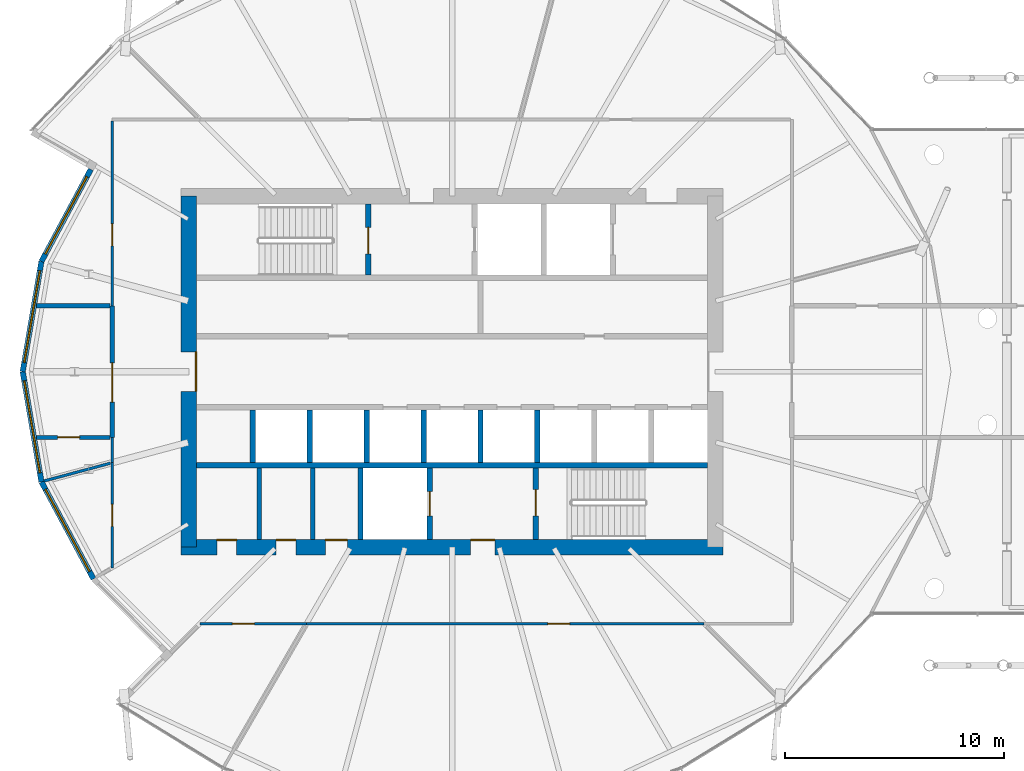
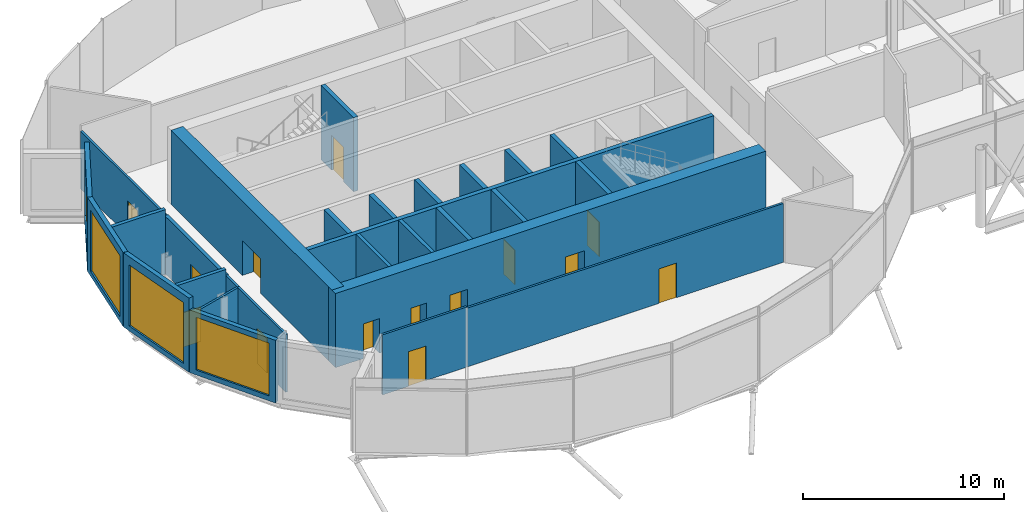
# One storey, part 22 of 36: 28 walls, 14 doors, 4 windows, 18 openings.
"""IFC4 building model written with IfcOpenShell, lengths in metres."""

from ifc_helpers import new_model, si_unit, direction, frame, frame_2d, origin, place, context, subcontext, project, spatial, rectangle, extrude, material, layer, layer_set, type_object, element, fill, save


model = new_model("IFC4")

# Units and contexts
model_context = context("Model", 3, precision=1e-05, world=origin(), true_north=direction((0.0, 1.0)))
body_context = subcontext(model_context, "Body", "Model", "MODEL_VIEW")
ifc_project = project(units=[si_unit("LENGTHUNIT", "METRE"), si_unit("AREAUNIT", "SQUARE_METRE"), si_unit("VOLUMEUNIT", "CUBIC_METRE"), si_unit("PLANEANGLEUNIT", "RADIAN"), si_unit("MASSUNIT", "GRAM", prefix="KILO")], contexts=[model_context])

# Site, building, storey
site_placement = place(None, origin())
site = spatial("IfcSite", under=ifc_project, at=site_placement, CompositionType="ELEMENT")
building_placement = place(site_placement, origin())
building = spatial("IfcBuilding", under=site, at=building_placement, Name="Rimbun Link Towers", CompositionType="ELEMENT")
storey_placement = place(building_placement, frame((0.0, 0.0, 154.39990234375)))
storey = spatial("IfcBuildingStorey", under=building, at=storey_placement, Name="L37", CompositionType="ELEMENT", Elevation=154.39990234375)

# Wall, opening, window
ifc_material_1 = material(Name="Dark enamelled glass spandrel on insulated aluminium backpan", Category="aluminium")
ifc_layer_1 = layer(ifc_material_1, 0.25)
ifc_layer_set_1 = layer_set([ifc_layer_1], Name="CS dark enamelled spandrel wall 250")
wall_type_1 = type_object("IfcWallType", Name="CS dark enamelled spandrel wall 250", PredefinedType="STANDARD", material=ifc_layer_set_1)
wall_1_placement = place(storey_placement, frame((-50.4755859375, 5.0263671875, 0.0), z_axis=(0.0, 0.0, 1.0), x_axis=(0.47248174368, 0.881340457422, 0.0)))
wall_1 = element("IfcWall", 1, at=wall_1_placement, inside=storey, type_object=wall_type_1, Name="Crease spandrel wall", PredefinedType="STANDARD", context=body_context, shape_type="SweptSolid", body=[
    extrude(rectangle(XDim=4.76220703125, YDim=0.25, at=frame_2d((2.381103515625, 0.0))), origin(), (0.0, 0.0, 1.0), 4.5),
])
opening_1_placement = place(wall_1_placement, frame((0.381103515625, 0.0, 0.300048828125)))
opening_1 = element("IfcOpeningElement", 2, at=opening_1_placement, cuts=wall_1, Name="Opening WR40H370", PredefinedType="OPENING", context=body_context, shape_type="SweptSolid", body=[
    extrude(rectangle(XDim=4.0, YDim=3.699951171875, at=frame_2d((2.0, 1.85009765625))), frame((0.0, 0.135009765625, 0.0), z_axis=(0.0, -1.0, 0.0), x_axis=(1.0, 0.0, 0.0)), (0.0, 0.0, 1.0), 0.27001953125),
])
ifc_material_2 = material(Name="Aluminium framed fixed window, dark tinted low-e glass", Category="aluminium")
window_type_1 = type_object("IfcWindowType", Name="WR ribbon window 4000X3700", PartitioningType="SINGLE_PANEL", PredefinedType="WINDOW", material=ifc_material_2)
window_1_placement = place(opening_1_placement, origin())
window_1 = element("IfcWindow", 3, at=window_1_placement, inside=storey, type_object=window_type_1, Name="Crease ribbon window", OverallHeight=3.699951171875, OverallWidth=4.0, PartitioningType="SINGLE_PANEL", PredefinedType="WINDOW", context=body_context, shape_type="SweptSolid", body=[
    extrude(rectangle(XDim=4.0, YDim=3.699951171875, at=frame_2d((2.0, 1.85009765625))), frame((0.0, 0.030029296875, 0.0), z_axis=(0.0, -1.0, 0.0), x_axis=(1.0, 0.0, 0.0)), (0.0, 0.0, 1.0), 0.06005859375),
])
fill(opening_1, window_1)

wall_2_placement = place(storey_placement, frame((-51.330322265625, 0.0, 0.0), z_axis=(0.0, 0.0, 1.0), x_axis=(0.167643894896, 0.985847617284, 0.0)))
wall_2 = element("IfcWall", 4, at=wall_2_placement, inside=storey, type_object=wall_type_1, Name="Crease spandrel wall", PredefinedType="STANDARD", context=body_context, shape_type="SweptSolid", body=[
    extrude(rectangle(XDim=5.0986328125, YDim=0.25, at=frame_2d((2.54931640625, 0.0))), origin(), (0.0, 0.0, 1.0), 4.5),
])
opening_2_placement = place(wall_2_placement, frame((0.42431640625, 0.0, 0.300048828125)))
opening_2 = element("IfcOpeningElement", 5, at=opening_2_placement, cuts=wall_2, Name="Opening WR42H370", PredefinedType="OPENING", context=body_context, shape_type="SweptSolid", body=[
    extrude(rectangle(XDim=4.25, YDim=3.699951171875, at=frame_2d((2.125, 1.85009765625))), frame((0.0, 0.135009765625, 0.0), z_axis=(0.0, -1.0, 0.0), x_axis=(1.0, 0.0, 0.0)), (0.0, 0.0, 1.0), 0.27001953125),
])
ifc_material_3 = material(Name="Aluminium framed fixed window, dark tinted low-e glass", Category="aluminium")
window_type_2 = type_object("IfcWindowType", Name="WR ribbon window 4250X3700", PartitioningType="SINGLE_PANEL", PredefinedType="WINDOW", material=ifc_material_3)
window_2_placement = place(opening_2_placement, origin())
window_2 = element("IfcWindow", 6, at=window_2_placement, inside=storey, type_object=window_type_2, Name="Crease ribbon window", OverallHeight=3.699951171875, OverallWidth=4.25, PartitioningType="SINGLE_PANEL", PredefinedType="WINDOW", context=body_context, shape_type="SweptSolid", body=[
    extrude(rectangle(XDim=4.25, YDim=3.699951171875, at=frame_2d((2.125, 1.85009765625))), frame((0.0, 0.030029296875, 0.0), z_axis=(0.0, -1.0, 0.0), x_axis=(1.0, 0.0, 0.0)), (0.0, 0.0, 1.0), 0.06005859375),
])
fill(opening_2, window_2)

wall_3_placement = place(storey_placement, frame((-50.4755859375, -5.0263671875, 0.0), z_axis=(0.0, 0.0, 1.0), x_axis=(-0.167643894896, 0.985847617284, 0.0)))
wall_3 = element("IfcWall", 7, at=wall_3_placement, inside=storey, type_object=wall_type_1, Name="Crease spandrel wall", PredefinedType="STANDARD", context=body_context, shape_type="SweptSolid", body=[
    extrude(rectangle(XDim=5.0986328125, YDim=0.25, at=frame_2d((2.54931640625, 0.0))), origin(), (0.0, 0.0, 1.0), 4.5),
])
opening_3_placement = place(wall_3_placement, frame((0.42431640625, 0.0, 0.300048828125)))
opening_3 = element("IfcOpeningElement", 8, at=opening_3_placement, cuts=wall_3, Name="Opening WR42H370", PredefinedType="OPENING", context=body_context, shape_type="SweptSolid", body=[
    extrude(rectangle(XDim=4.25, YDim=3.699951171875, at=frame_2d((2.125, 1.85009765625))), frame((0.0, 0.135009765625, 0.0), z_axis=(0.0, -1.0, 0.0), x_axis=(1.0, 0.0, 0.0)), (0.0, 0.0, 1.0), 0.27001953125),
])
window_3_placement = place(opening_3_placement, origin())
window_3 = element("IfcWindow", 9, at=window_3_placement, inside=storey, type_object=window_type_2, Name="Crease ribbon window", OverallHeight=3.699951171875, OverallWidth=4.25, PartitioningType="SINGLE_PANEL", PredefinedType="WINDOW", context=body_context, shape_type="SweptSolid", body=[
    extrude(rectangle(XDim=4.25, YDim=3.699951171875, at=frame_2d((2.125, 1.85009765625))), frame((0.0, 0.030029296875, 0.0), z_axis=(0.0, -1.0, 0.0), x_axis=(1.0, 0.0, 0.0)), (0.0, 0.0, 1.0), 0.06005859375),
])
fill(opening_3, window_3)

wall_4_placement = place(storey_placement, frame((-48.1005859375, -9.45654296875, 0.0), z_axis=(0.0, 0.0, 1.0), x_axis=(-0.472482867298, 0.881339855056, 0.0)))
wall_4 = element("IfcWall", 10, at=wall_4_placement, inside=storey, type_object=wall_type_1, Name="Crease spandrel wall", PredefinedType="STANDARD", context=body_context, shape_type="SweptSolid", body=[
    extrude(rectangle(XDim=5.026611328125, YDim=0.25, at=frame_2d((2.51318359375, 0.0))), origin(), (0.0, 0.0, 1.0), 3.80712890625),
])
opening_4_placement = place(wall_4_placement, frame((0.38818359375, 0.0, 0.300048828125)))
opening_4 = element("IfcOpeningElement", 11, at=opening_4_placement, cuts=wall_4, Name="Opening WR42H320", PredefinedType="OPENING", context=body_context, shape_type="SweptSolid", body=[
    extrude(rectangle(XDim=4.25, YDim=3.199951171875, at=frame_2d((2.125, 1.60009765625))), frame((0.0, 0.135009765625, 0.0), z_axis=(0.0, -1.0, 0.0), x_axis=(1.0, 0.0, 0.0)), (0.0, 0.0, 1.0), 0.27001953125),
])
ifc_material_4 = material(Name="Aluminium framed fixed window, dark tinted low-e glass", Category="aluminium")
window_type_3 = type_object("IfcWindowType", Name="WR ribbon window 4250X3200", PartitioningType="SINGLE_PANEL", PredefinedType="WINDOW", material=ifc_material_4)
window_4_placement = place(opening_4_placement, origin())
window_4 = element("IfcWindow", 12, at=window_4_placement, inside=storey, type_object=window_type_3, Name="Crease ribbon window", OverallHeight=3.199951171875, OverallWidth=4.25, PartitioningType="SINGLE_PANEL", PredefinedType="WINDOW", context=body_context, shape_type="SweptSolid", body=[
    extrude(rectangle(XDim=4.25, YDim=3.199951171875, at=frame_2d((2.125, 1.60009765625))), frame((0.0, 0.030029296875, 0.0), z_axis=(0.0, -1.0, 0.0), x_axis=(1.0, 0.0, 0.0)), (0.0, 0.0, 1.0), 0.06005859375),
])
fill(opening_4, window_4)

# Walls
ifc_material_5 = material(Name="Masonry blockwork", Category="masonry")
ifc_layer_2 = layer(ifc_material_5, 0.199951171875)
ifc_layer_set_2 = layer_set([ifc_layer_2], Name="Core partition 200")
wall_type_2 = type_object("IfcWallType", Name="Core partition 200", PredefinedType="PARTITIONING", material=ifc_layer_set_2)
for number, where, z_axis, x_axis, name in (
    (13, (-40.550048828125, -4.39990234375, 0.0), (0.0, 0.0, 1.0), (0.0, -1.0, 0.0), "L37 T1 core wall C1"),
    (14, (-38.10009765625, -4.39990234375, 0.0), (0.0, 0.0, 1.0), (0.0, -1.0, 0.0), "L37 T1 core wall C2"),
):
    element("IfcWall", number, at=place(storey_placement, frame(where, z_axis=z_axis, x_axis=x_axis)), inside=storey, type_object=wall_type_2, Name=name, PredefinedType="PARTITIONING", context=body_context, shape_type="SweptSolid", body=[
        extrude(rectangle(XDim=3.25, YDim=0.199951171875, at=frame_2d((1.625, 0.0))), origin(), (0.0, 0.0, 1.0), 4.5),
    ])

# Wall, openings, doors
ifc_material_6 = material(Name="Concrete C60/75", Category="concrete")
ifc_layer_3 = layer(ifc_material_6, 0.699951171875)
ifc_layer_set_3 = layer_set([ifc_layer_3], Name="Core shear wall 700")
wall_type_3 = type_object("IfcWallType", Name="Core shear wall 700", PredefinedType="SHEAR", material=ifc_layer_set_3)
wall_5_placement = place(storey_placement, frame((-44.10009765625, -8.0, 0.0), z_axis=(0.0, 0.0, 1.0), x_axis=(1.0, 0.0, 0.0)))
wall_5 = element("IfcWall", 15, at=wall_5_placement, inside=storey, type_object=wall_type_3, Name="L37 T1 core wall S", PredefinedType="SHEAR", context=body_context, shape_type="SweptSolid", body=[
    extrude(rectangle(XDim=24.7001953125, YDim=0.699951171875, at=frame_2d((12.35009765625, 0.0))), origin(), (0.0, 0.0, 1.0), 4.5),
])
opening_5_placement = place(wall_5_placement, frame((13.199951171875, 0.0, 0.0)))
opening_5 = element("IfcOpeningElement", 16, at=opening_5_placement, cuts=wall_5, Name="Opening C1DCF01S", PredefinedType="OPENING", context=body_context, shape_type="SweptSolid", body=[
    extrude(rectangle(XDim=1.10009765625, YDim=2.10009765625, at=frame_2d((0.550048828125, 1.050048828125))), frame((0.0, 0.35986328125, 0.0), z_axis=(0.0, -1.0, 0.0), x_axis=(1.0, 0.0, 0.0)), (0.0, 0.0, 1.0), 0.719970703125),
])
opening_6_placement = place(wall_5_placement, frame((1.625, 0.0, 0.0)))
opening_6 = element("IfcOpeningElement", 17, at=opening_6_placement, cuts=wall_5, Name="Opening C1DWC02S", PredefinedType="OPENING", context=body_context, shape_type="SweptSolid", body=[
    extrude(rectangle(XDim=0.89990234375, YDim=2.10009765625, at=frame_2d((0.449951171875, 1.050048828125))), frame((0.0, 0.35986328125, 0.0), z_axis=(0.0, -1.0, 0.0), x_axis=(1.0, 0.0, 0.0)), (0.0, 0.0, 1.0), 0.719970703125),
])
opening_7_placement = place(wall_5_placement, frame((4.324951171875, 0.0, 0.0)))
opening_7 = element("IfcOpeningElement", 18, at=opening_7_placement, cuts=wall_5, Name="Opening C1DWC03S", PredefinedType="OPENING", context=body_context, shape_type="SweptSolid", body=[
    extrude(rectangle(XDim=0.89990234375, YDim=2.10009765625, at=frame_2d((0.449951171875, 1.050048828125))), frame((0.0, 0.35986328125, 0.0), z_axis=(0.0, -1.0, 0.0), x_axis=(1.0, 0.0, 0.0)), (0.0, 0.0, 1.0), 0.719970703125),
])
opening_8_placement = place(wall_5_placement, frame((6.574951171875, 0.0, 0.0)))
opening_8 = element("IfcOpeningElement", 19, at=opening_8_placement, cuts=wall_5, Name="Opening C1DAW04S", PredefinedType="OPENING", context=body_context, shape_type="SweptSolid", body=[
    extrude(rectangle(XDim=1.0, YDim=2.10009765625, at=frame_2d((0.5, 1.050048828125))), frame((0.0, 0.35986328125, 0.0), z_axis=(0.0, -1.0, 0.0), x_axis=(1.0, 0.0, 0.0)), (0.0, 0.0, 1.0), 0.719970703125),
])
ifc_material_7 = material(Name="Timber", Category="wood")
door_type_1 = type_object("IfcDoorType", Name="Accessible WC door", OperationType="SINGLE_SWING_LEFT", PredefinedType="DOOR", material=ifc_material_7)
door_1_placement = place(opening_8_placement, origin())
door_1 = element("IfcDoor", 20, at=door_1_placement, inside=storey, type_object=door_type_1, Name="L37 T1 accessible wc door", OperationType="SINGLE_SWING_RIGHT", OverallHeight=2.10009765625, OverallWidth=1.0, PredefinedType="DOOR", context=body_context, shape_type="SweptSolid", body=[
    extrude(rectangle(XDim=1.0, YDim=2.10009765625, at=frame_2d((0.5, 1.050048828125))), frame((0.0, 0.35009765625, 0.0), z_axis=(0.0, -1.0, 0.0), x_axis=(1.0, 0.0, 0.0)), (0.0, 0.0, 1.0), 0.050048828125),
])
fill(opening_8, door_1)
ifc_material_8 = material(Name="Steel fire door set", Category="steel")
door_type_2 = type_object("IfcDoorType", Name="Core fire door single", OperationType="SINGLE_SWING_LEFT", PredefinedType="DOOR", material=ifc_material_8)
door_2_placement = place(opening_5_placement, origin())
door_2 = element("IfcDoor", 21, at=door_2_placement, inside=storey, type_object=door_type_2, Name="L37 T1 firefighting lobby s door", OperationType="SINGLE_SWING_RIGHT", OverallHeight=2.10009765625, OverallWidth=1.10009765625, PredefinedType="DOOR", context=body_context, shape_type="SweptSolid", body=[
    extrude(rectangle(XDim=1.10009765625, YDim=2.10009765625, at=frame_2d((0.550048828125, 1.050048828125))), frame((0.0, 0.35009765625, 0.0), z_axis=(0.0, -1.0, 0.0), x_axis=(1.0, 0.0, 0.0)), (0.0, 0.0, 1.0), 0.050048828125),
])
fill(opening_5, door_2)
ifc_material_9 = material(Name="Timber", Category="wood")
door_type_3 = type_object("IfcDoorType", Name="WC door", OperationType="SINGLE_SWING_LEFT", PredefinedType="DOOR", material=ifc_material_9)
door_3_placement = place(opening_6_placement, origin())
door_3 = element("IfcDoor", 22, at=door_3_placement, inside=storey, type_object=door_type_3, Name="L37 T1 male wc door", OperationType="SINGLE_SWING_LEFT", OverallHeight=2.10009765625, OverallWidth=0.89990234375, PredefinedType="DOOR", context=body_context, shape_type="SweptSolid", body=[
    extrude(rectangle(XDim=0.89990234375, YDim=2.10009765625, at=frame_2d((0.449951171875, 1.050048828125))), frame((0.0, 0.35009765625, 0.0), z_axis=(0.0, -1.0, 0.0), x_axis=(1.0, 0.0, 0.0)), (0.0, 0.0, 1.0), 0.050048828125),
])
fill(opening_6, door_3)
door_4_placement = place(opening_7_placement, origin())
door_4 = element("IfcDoor", 23, at=door_4_placement, inside=storey, type_object=door_type_3, Name="L37 T1 female wc door", OperationType="SINGLE_SWING_RIGHT", OverallHeight=2.10009765625, OverallWidth=0.89990234375, PredefinedType="DOOR", context=body_context, shape_type="SweptSolid", body=[
    extrude(rectangle(XDim=0.89990234375, YDim=2.10009765625, at=frame_2d((0.449951171875, 1.050048828125))), frame((0.0, 0.35009765625, 0.0), z_axis=(0.0, -1.0, 0.0), x_axis=(1.0, 0.0, 0.0)), (0.0, 0.0, 1.0), 0.050048828125),
])
fill(opening_7, door_4)

# Wall, opening, door
wall_6_placement = place(storey_placement, frame((-43.75, -8.0, 0.0), z_axis=(0.0, 0.0, 1.0), x_axis=(0.0, 1.0, 0.0)))
wall_6 = element("IfcWall", 24, at=wall_6_placement, inside=storey, type_object=wall_type_3, Name="L37 T1 core wall W", PredefinedType="SHEAR", context=body_context, shape_type="SweptSolid", body=[
    extrude(rectangle(XDim=16.0, YDim=0.699951171875, at=frame_2d((8.0, 0.0))), origin(), (0.0, 0.0, 1.0), 4.5),
])
opening_9_placement = place(wall_6_placement, frame((7.10009765625, 0.0, 0.0)))
opening_9 = element("IfcOpeningElement", 25, at=opening_9_placement, cuts=wall_6, Name="Opening C1DCL01W", PredefinedType="OPENING", context=body_context, shape_type="SweptSolid", body=[
    extrude(rectangle(XDim=1.800048828125, YDim=2.10009765625, at=frame_2d((0.89990234375, 1.050048828125))), frame((0.0, 0.35986328125, 0.0), z_axis=(0.0, -1.0, 0.0), x_axis=(1.0, 0.0, 0.0)), (0.0, 0.0, 1.0), 0.719970703125),
])
ifc_material_10 = material(Name="Steel fire door set", Category="steel")
door_type_4 = type_object("IfcDoorType", Name="Core lobby door double", OperationType="DOUBLE_DOOR_SINGLE_SWING", PredefinedType="DOOR", material=ifc_material_10)
door_5_placement = place(opening_9_placement, origin())
door_5 = element("IfcDoor", 26, at=door_5_placement, inside=storey, type_object=door_type_4, Name="L37 T1 lift lobby door", OperationType="DOUBLE_DOOR_SINGLE_SWING", OverallHeight=2.10009765625, OverallWidth=1.800048828125, PredefinedType="DOOR", context=body_context, shape_type="SweptSolid", body=[
    extrude(rectangle(XDim=1.800048828125, YDim=2.10009765625, at=frame_2d((0.89990234375, 1.050048828125))), frame((0.0, -0.2998046875, 0.0), z_axis=(0.0, -1.0, 0.0), x_axis=(1.0, 0.0, 0.0)), (0.0, 0.0, 1.0), 0.050048828125),
])
fill(opening_9, door_5)

ifc_material_11 = material(Name="Concrete blockwork", Category="masonry")
ifc_layer_4 = layer(ifc_material_11, 0.199951171875)
ifc_layer_set_4 = layer_set([ifc_layer_4], Name="Fire partition 200 blockwork")
wall_type_4 = type_object("IfcWallType", Name="Fire partition 200 blockwork", PredefinedType="PARTITIONING", material=ifc_layer_set_4)
wall_7_placement = place(storey_placement, frame((-47.25, 3.0, 0.0), z_axis=(0.0, 0.0, 1.0), x_axis=(0.0, -1.0, 0.0)))
wall_7 = element("IfcWall", 27, at=wall_7_placement, inside=storey, type_object=wall_type_4, Name="TW/PW/L37/006", PredefinedType="PARTITIONING", context=body_context, shape_type="SweptSolid", body=[
    extrude(rectangle(XDim=6.0, YDim=0.199951171875, at=frame_2d((3.0, 0.0))), origin(), (0.0, 0.0, 1.0), 3.489013671875),
])
opening_10_placement = place(wall_7_placement, frame((2.594970703125, 0.0, 0.0)))
opening_10 = element("IfcOpeningElement", 28, at=opening_10_placement, cuts=wall_7, Name="Opening TW D37.24", PredefinedType="OPENING", context=body_context, shape_type="SweptSolid", body=[
    extrude(rectangle(XDim=1.800048828125, YDim=2.10009765625, at=frame_2d((0.89990234375, 1.050048828125))), frame((0.0, 0.10986328125, 0.0), z_axis=(0.0, -1.0, 0.0), x_axis=(1.0, 0.0, 0.0)), (0.0, 0.0, 1.0), 0.219970703125),
])
ifc_material_12 = material(Name="Steel fire door set", Category="steel")
door_type_5 = type_object("IfcDoorType", Name="Fire door double leaf 1800 x 2100", OperationType="NOTDEFINED", PredefinedType="DOOR", material=ifc_material_12)
door_6_placement = place(opening_10_placement, origin())
door_6 = element("IfcDoor", 29, at=door_6_placement, inside=storey, type_object=door_type_5, Name="TW/DR/L37/024", OperationType="DOUBLE_DOOR_SINGLE_SWING", OverallHeight=2.10009765625, OverallWidth=1.800048828125, PredefinedType="DOOR", context=body_context, shape_type="SweptSolid", body=[
    extrude(rectangle(XDim=1.800048828125, YDim=2.10009765625, at=frame_2d((0.89990234375, 1.050048828125))), frame((0.0, 0.02490234375, 0.0), z_axis=(0.0, -1.0, 0.0), x_axis=(1.0, 0.0, 0.0)), (0.0, 0.0, 1.0), 0.050048828125),
])
fill(opening_10, door_6)

wall_8_placement = place(storey_placement, frame((-50.693359375, -3.0, 0.0), z_axis=(0.0, 0.0, 1.0), x_axis=(1.0, 0.0, 0.0)))
wall_8 = element("IfcWall", 30, at=wall_8_placement, inside=storey, type_object=wall_type_4, Name="TW/PW/L37/023", PredefinedType="PARTITIONING", context=body_context, shape_type="SweptSolid", body=[
    extrude(rectangle(XDim=3.34326171875, YDim=0.199951171875, at=frame_2d((1.671630859375, 0.0))), origin(), (0.0, 0.0, 1.0), 3.924072265625),
])
opening_11_placement = place(wall_8_placement, frame((0.955078125, 0.0, 0.0)))
opening_11 = element("IfcOpeningElement", 31, at=opening_11_placement, cuts=wall_8, Name="Opening TW D37.08", PredefinedType="OPENING", context=body_context, shape_type="SweptSolid", body=[
    extrude(rectangle(XDim=1.0, YDim=2.10009765625, at=frame_2d((0.5, 1.050048828125))), frame((0.0, 0.10986328125, 0.0), z_axis=(0.0, -1.0, 0.0), x_axis=(1.0, 0.0, 0.0)), (0.0, 0.0, 1.0), 0.219970703125),
])
ifc_material_13 = material(Name="Steel fire door set", Category="steel")
door_type_6 = type_object("IfcDoorType", Name="Fire door single leaf 1000 x 2100", OperationType="NOTDEFINED", PredefinedType="DOOR", material=ifc_material_13)
door_7_placement = place(opening_11_placement, origin())
door_7 = element("IfcDoor", 32, at=door_7_placement, inside=storey, type_object=door_type_6, Name="TW/DR/L37/008", OperationType="SINGLE_SWING_LEFT", OverallHeight=2.10009765625, OverallWidth=1.0, PredefinedType="DOOR", context=body_context, shape_type="SweptSolid", body=[
    extrude(rectangle(XDim=1.0, YDim=2.10009765625, at=frame_2d((0.5, 1.050048828125))), frame((0.0, 0.02490234375, 0.0), z_axis=(0.0, -1.0, 0.0), x_axis=(1.0, 0.0, 0.0)), (0.0, 0.0, 1.0), 0.050048828125),
])
fill(opening_11, door_7)

# Wall
wall_9_placement = place(storey_placement, frame((-47.35009765625, 3.0, 0.0), z_axis=(0.0, 0.0, 1.0), x_axis=(-1.0, 0.0, 0.0)))
element("IfcWall", 33, at=wall_9_placement, inside=storey, type_object=wall_type_4, Name="TW/PW/L37/024", PredefinedType="PARTITIONING", context=body_context, shape_type="SweptSolid", body=[
    extrude(rectangle(XDim=3.34326171875, YDim=0.199951171875, at=frame_2d((1.671630859375, 0.0))), origin(), (0.0, 0.0, 1.0), 3.924072265625),
])

# Wall, opening, door
ifc_material_14 = material(Name="Gypsum board on steel studs", Category="steel")
ifc_layer_5 = layer(ifc_material_14, 0.125)
ifc_layer_set_5 = layer_set([ifc_layer_5], Name="Partition 125 board on studs")
wall_type_5 = type_object("IfcWallType", Name="Partition 125 board on studs", PredefinedType="PARTITIONING", material=ifc_layer_set_5)
wall_10_placement = place(storey_placement, frame((-47.25, -4.1533203125, 0.0), z_axis=(0.0, 0.0, 1.0), x_axis=(0.0, -1.0, 0.0)))
wall_10 = element("IfcWall", 34, at=wall_10_placement, inside=storey, type_object=wall_type_5, Name="TW/PW/L37/007", PredefinedType="PARTITIONING", context=body_context, shape_type="SweptSolid", body=[
    extrude(rectangle(XDim=4.795654296875, YDim=0.125, at=frame_2d((2.39794921875, 0.0))), origin(), (0.0, 0.0, 1.0), 3.489013671875),
])
opening_12_placement = place(wall_10_placement, frame((1.89794921875, 0.0, 0.0)))
opening_12 = element("IfcOpeningElement", 35, at=opening_12_placement, cuts=wall_10, Name="Opening TW D37.01", PredefinedType="OPENING", context=body_context, shape_type="SweptSolid", body=[
    extrude(rectangle(XDim=1.0, YDim=2.10009765625, at=frame_2d((0.5, 1.050048828125))), frame((0.0, 0.072509765625, 0.0), z_axis=(0.0, -1.0, 0.0), x_axis=(1.0, 0.0, 0.0)), (0.0, 0.0, 1.0), 0.14501953125),
])
ifc_material_15 = material(Name="Timber door set", Category="wood")
door_type_7 = type_object("IfcDoorType", Name="Door single leaf 1000 x 2100", OperationType="NOTDEFINED", PredefinedType="DOOR", material=ifc_material_15)
door_8_placement = place(opening_12_placement, origin())
door_8 = element("IfcDoor", 36, at=door_8_placement, inside=storey, type_object=door_type_7, Name="TW/DR/L37/001", OperationType="SINGLE_SWING_RIGHT", OverallHeight=2.10009765625, OverallWidth=1.0, PredefinedType="DOOR", context=body_context, shape_type="SweptSolid", body=[
    extrude(rectangle(XDim=1.0, YDim=2.10009765625, at=frame_2d((0.5, 1.050048828125))), frame((0.0, 0.02490234375, 0.0), z_axis=(0.0, -1.0, 0.0), x_axis=(1.0, 0.0, 0.0)), (0.0, 0.0, 1.0), 0.050048828125),
])
fill(opening_12, door_8)

wall_11_placement = place(storey_placement, frame((-43.25, -11.5, 0.0), z_axis=(0.0, 0.0, 1.0), x_axis=(1.0, 0.0, 0.0)))
wall_11 = element("IfcWall", 37, at=wall_11_placement, inside=storey, type_object=wall_type_5, Name="TW/PW/L37/009", PredefinedType="PARTITIONING", context=body_context, shape_type="SweptSolid", body=[
    extrude(rectangle(XDim=4.860595703125, YDim=0.125, at=frame_2d((2.43017578125, 0.0))), origin(), (0.0, 0.0, 1.0), 3.647216796875),
])
opening_13_placement = place(wall_11_placement, frame((1.486083984375, 0.0, 0.0)))
opening_13 = element("IfcOpeningElement", 38, at=opening_13_placement, cuts=wall_11, Name="Opening TW D37.02", PredefinedType="OPENING", context=body_context, shape_type="SweptSolid", body=[
    extrude(rectangle(XDim=1.0, YDim=2.10009765625, at=frame_2d((0.5, 1.050048828125))), frame((0.0, 0.072509765625, 0.0), z_axis=(0.0, -1.0, 0.0), x_axis=(1.0, 0.0, 0.0)), (0.0, 0.0, 1.0), 0.14501953125),
])
door_9_placement = place(opening_13_placement, origin())
door_9 = element("IfcDoor", 39, at=door_9_placement, inside=storey, type_object=door_type_7, Name="TW/DR/L37/002", OperationType="SINGLE_SWING_LEFT", OverallHeight=2.10009765625, OverallWidth=1.0, PredefinedType="DOOR", context=body_context, shape_type="SweptSolid", body=[
    extrude(rectangle(XDim=1.0, YDim=2.10009765625, at=frame_2d((0.5, 1.050048828125))), frame((0.0, 0.02490234375, 0.0), z_axis=(0.0, -1.0, 0.0), x_axis=(1.0, 0.0, 0.0)), (0.0, 0.0, 1.0), 0.050048828125),
])
fill(opening_13, door_9)

wall_12_placement = place(storey_placement, frame((-38.389404296875, -11.5, 0.0), z_axis=(0.0, 0.0, 1.0), x_axis=(1.0, 0.0, 0.0)))
wall_12 = element("IfcWall", 40, at=wall_12_placement, inside=storey, type_object=wall_type_5, Name="TW/PW/L37/011", PredefinedType="PARTITIONING", context=body_context, shape_type="SweptSolid", body=[
    extrude(rectangle(XDim=18.139404296875, YDim=0.125, at=frame_2d((9.06982421875, 0.0))), origin(), (0.0, 0.0, 1.0), 3.568115234375),
])
opening_14_placement = place(wall_12_placement, frame((11.006103515625, 0.0, 0.0)))
opening_14 = element("IfcOpeningElement", 41, at=opening_14_placement, cuts=wall_12, Name="Opening TW D37.03", PredefinedType="OPENING", context=body_context, shape_type="SweptSolid", body=[
    extrude(rectangle(XDim=1.0, YDim=2.10009765625, at=frame_2d((0.5, 1.050048828125))), frame((0.0, 0.072509765625, 0.0), z_axis=(0.0, -1.0, 0.0), x_axis=(1.0, 0.0, 0.0)), (0.0, 0.0, 1.0), 0.14501953125),
])
door_10_placement = place(opening_14_placement, origin())
door_10 = element("IfcDoor", 42, at=door_10_placement, inside=storey, type_object=door_type_7, Name="TW/DR/L37/003", OperationType="SINGLE_SWING_RIGHT", OverallHeight=2.10009765625, OverallWidth=1.0, PredefinedType="DOOR", context=body_context, shape_type="SweptSolid", body=[
    extrude(rectangle(XDim=1.0, YDim=2.10009765625, at=frame_2d((0.5, 1.050048828125))), frame((0.0, 0.02490234375, 0.0), z_axis=(0.0, -1.0, 0.0), x_axis=(1.0, 0.0, 0.0)), (0.0, 0.0, 1.0), 0.050048828125),
])
fill(opening_14, door_10)

# Wall
wall_13_placement = place(storey_placement, frame((-47.25, -3.0, 0.0), z_axis=(0.0, 0.0, 1.0), x_axis=(0.0, -1.0, 0.0)))
element("IfcWall", 43, at=wall_13_placement, inside=storey, type_object=wall_type_5, Name="TW/PW/L37/018", PredefinedType="PARTITIONING", context=body_context, shape_type="SweptSolid", body=[
    extrude(rectangle(XDim=1.1533203125, YDim=0.125, at=frame_2d((0.57666015625, 0.0))), origin(), (0.0, 0.0, 1.0), 3.489013671875),
])

# Wall, opening, door
wall_14_placement = place(storey_placement, frame((-47.25, 11.4375, 0.0), z_axis=(0.0, 0.0, 1.0), x_axis=(0.0, -1.0, 0.0)))
wall_14 = element("IfcWall", 44, at=wall_14_placement, inside=storey, type_object=wall_type_5, Name="TW/PW/L37/020", PredefinedType="PARTITIONING", context=body_context, shape_type="SweptSolid", body=[
    extrude(rectangle(XDim=8.4375, YDim=0.125, at=frame_2d((4.21875, 0.0))), origin(), (0.0, 0.0, 1.0), 3.489013671875),
])
opening_15_placement = place(wall_14_placement, frame((4.698974609375, 0.0, 0.0)))
opening_15 = element("IfcOpeningElement", 45, at=opening_15_placement, cuts=wall_14, Name="Opening TW D37.09", PredefinedType="OPENING", context=body_context, shape_type="SweptSolid", body=[
    extrude(rectangle(XDim=1.0, YDim=2.10009765625, at=frame_2d((0.5, 1.050048828125))), frame((0.0, 0.072509765625, 0.0), z_axis=(0.0, -1.0, 0.0), x_axis=(1.0, 0.0, 0.0)), (0.0, 0.0, 1.0), 0.14501953125),
])
door_11_placement = place(opening_15_placement, origin())
door_11 = element("IfcDoor", 46, at=door_11_placement, inside=storey, type_object=door_type_7, Name="TW/DR/L37/009", OperationType="SINGLE_SWING_RIGHT", OverallHeight=2.10009765625, OverallWidth=1.0, PredefinedType="DOOR", context=body_context, shape_type="SweptSolid", body=[
    extrude(rectangle(XDim=1.0, YDim=2.10009765625, at=frame_2d((0.5, 1.050048828125))), frame((0.0, 0.02490234375, 0.0), z_axis=(0.0, -1.0, 0.0), x_axis=(1.0, 0.0, 0.0)), (0.0, 0.0, 1.0), 0.050048828125),
])
fill(opening_15, door_11)

# Walls
wall_15_placement = place(storey_placement, frame((-47.32861328125, -4.17431640625, 0.0), z_axis=(0.0, 0.0, 1.0), x_axis=(-0.965931708511, -0.258797091352, 0.0)))
element("IfcWall", 47, at=wall_15_placement, inside=storey, type_object=wall_type_5, Name="TW/PW/L37/025", PredefinedType="PARTITIONING", context=body_context, shape_type="SweptSolid", body=[
    extrude(rectangle(XDim=3.1337890625, YDim=0.125, at=frame_2d((1.56689453125, 0.0))), origin(), (0.0, 0.0, 1.0), 3.489013671875),
])
ifc_material_16 = material(Name="Concrete C60/75", Category="concrete")
ifc_layer_6 = layer(ifc_material_16, 0.25)
ifc_layer_set_6 = layer_set([ifc_layer_6], Name="Shaft wall 250")
wall_type_6 = type_object("IfcWallType", Name="Shaft wall 250", PredefinedType="SHEAR", material=ifc_layer_set_6)
wall_16_placement = place(storey_placement, frame((-43.39990234375, -4.27490234375, 0.0), z_axis=(0.0, 0.0, 1.0), x_axis=(1.0, 0.0, 0.0)))
element("IfcWall", 48, at=wall_16_placement, inside=storey, type_object=wall_type_6, Name="L37 T1 core wall BS", PredefinedType="SHEAR", context=body_context, shape_type="SweptSolid", body=[
    extrude(rectangle(XDim=23.2998046875, YDim=0.25, at=frame_2d((11.64990234375, 0.0))), origin(), (0.0, 0.0, 1.0), 4.5),
])
for number, where, z_axis, x_axis, name in (
    (49, (-40.83056640625, -4.14990234375, 0.0), (0.0, 0.0, 1.0), (0.0, 1.0, 0.0), "L37 T1 core wall DS0"),
    (50, (-38.236083984375, -4.14990234375, 0.0), (0.0, 0.0, 1.0), (0.0, 1.0, 0.0), "L37 T1 core wall DS1"),
    (51, (-35.6416015625, -4.14990234375, 0.0), (0.0, 0.0, 1.0), (0.0, 1.0, 0.0), "L37 T1 core wall DS2"),
    (52, (-33.047119140625, -4.14990234375, 0.0), (0.0, 0.0, 1.0), (0.0, 1.0, 0.0), "L37 T1 core wall DS3"),
    (53, (-30.452880859375, -4.14990234375, 0.0), (0.0, 0.0, 1.0), (0.0, 1.0, 0.0), "L37 T1 core wall DS4"),
    (54, (-27.8583984375, -4.14990234375, 0.0), (0.0, 0.0, 1.0), (0.0, 1.0, 0.0), "L37 T1 core wall DS5"),
):
    element("IfcWall", number, at=place(storey_placement, frame(where, z_axis=z_axis, x_axis=x_axis)), inside=storey, type_object=wall_type_6, Name=name, PredefinedType="SHEAR", context=body_context, shape_type="SweptSolid", body=[
        extrude(rectangle(XDim=2.39990234375, YDim=0.25, at=frame_2d((1.199951171875, 0.0))), origin(), (0.0, 0.0, 1.0), 4.5),
    ])

# Wall, opening, door
wall_17_placement = place(storey_placement, frame((-35.574951171875, 4.39990234375, 0.0), z_axis=(0.0, 0.0, 1.0), x_axis=(0.0, 1.0, 0.0)))
wall_17 = element("IfcWall", 55, at=wall_17_placement, inside=storey, type_object=wall_type_6, Name="L37 T1 core wall A1", PredefinedType="SHEAR", context=body_context, shape_type="SweptSolid", body=[
    extrude(rectangle(XDim=3.25, YDim=0.25, at=frame_2d((1.625, 0.0))), origin(), (0.0, 0.0, 1.0), 4.5),
])
opening_16_placement = place(wall_17_placement, frame((0.97509765625, 0.0, 0.0)))
opening_16 = element("IfcOpeningElement", 56, at=opening_16_placement, cuts=wall_17, Name="Opening C1DST01A1", PredefinedType="OPENING", context=body_context, shape_type="SweptSolid", body=[
    extrude(rectangle(XDim=1.199951171875, YDim=2.10009765625, at=frame_2d((0.60009765625, 1.050048828125))), frame((0.0, 0.135009765625, 0.0), z_axis=(0.0, -1.0, 0.0), x_axis=(1.0, 0.0, 0.0)), (0.0, 0.0, 1.0), 0.27001953125),
])
ifc_material_17 = material(Name="Steel fire door set", Category="steel")
door_type_8 = type_object("IfcDoorType", Name="Stair door", OperationType="SINGLE_SWING_LEFT", PredefinedType="DOOR", material=ifc_material_17)
door_12_placement = place(opening_16_placement, origin())
door_12 = element("IfcDoor", 57, at=door_12_placement, inside=storey, type_object=door_type_8, Name="L37 T1 stair a door", OperationType="SINGLE_SWING_RIGHT", OverallHeight=2.10009765625, OverallWidth=1.199951171875, PredefinedType="DOOR", context=body_context, shape_type="SweptSolid", body=[
    extrude(rectangle(XDim=1.199951171875, YDim=2.10009765625, at=frame_2d((0.60009765625, 1.050048828125))), frame((0.0, 0.02490234375, 0.0), z_axis=(0.0, -1.0, 0.0), x_axis=(1.0, 0.0, 0.0)), (0.0, 0.0, 1.0), 0.050048828125),
])
fill(opening_16, door_12)

wall_18_placement = place(storey_placement, frame((-27.925048828125, -4.39990234375, 0.0), z_axis=(0.0, 0.0, 1.0), x_axis=(0.0, -1.0, 0.0)))
wall_18 = element("IfcWall", 58, at=wall_18_placement, inside=storey, type_object=wall_type_6, Name="L37 T1 core wall B1", PredefinedType="SHEAR", context=body_context, shape_type="SweptSolid", body=[
    extrude(rectangle(XDim=3.25, YDim=0.25, at=frame_2d((1.625, 0.0))), origin(), (0.0, 0.0, 1.0), 4.5),
])
opening_17_placement = place(wall_18_placement, frame((0.97509765625, 0.0, 0.0)))
opening_17 = element("IfcOpeningElement", 59, at=opening_17_placement, cuts=wall_18, Name="Opening C1DST01B1", PredefinedType="OPENING", context=body_context, shape_type="SweptSolid", body=[
    extrude(rectangle(XDim=1.199951171875, YDim=2.10009765625, at=frame_2d((0.60009765625, 1.050048828125))), frame((0.0, 0.135009765625, 0.0), z_axis=(0.0, -1.0, 0.0), x_axis=(1.0, 0.0, 0.0)), (0.0, 0.0, 1.0), 0.27001953125),
])
door_13_placement = place(opening_17_placement, origin())
door_13 = element("IfcDoor", 60, at=door_13_placement, inside=storey, type_object=door_type_8, Name="L37 T1 stair b door", OperationType="SINGLE_SWING_RIGHT", OverallHeight=2.10009765625, OverallWidth=1.199951171875, PredefinedType="DOOR", context=body_context, shape_type="SweptSolid", body=[
    extrude(rectangle(XDim=1.199951171875, YDim=2.10009765625, at=frame_2d((0.60009765625, 1.050048828125))), frame((0.0, 0.02490234375, 0.0), z_axis=(0.0, -1.0, 0.0), x_axis=(1.0, 0.0, 0.0)), (0.0, 0.0, 1.0), 0.050048828125),
])
fill(opening_17, door_13)

wall_19_placement = place(storey_placement, frame((-32.77490234375, -4.39990234375, 0.0), z_axis=(0.0, 0.0, 1.0), x_axis=(0.0, -1.0, 0.0)))
wall_19 = element("IfcWall", 61, at=wall_19_placement, inside=storey, type_object=wall_type_6, Name="L37 T1 core wall B2", PredefinedType="SHEAR", context=body_context, shape_type="SweptSolid", body=[
    extrude(rectangle(XDim=3.25, YDim=0.25, at=frame_2d((1.625, 0.0))), origin(), (0.0, 0.0, 1.0), 4.5),
])
opening_18_placement = place(wall_19_placement, frame((1.074951171875, 0.0, 0.0)))
opening_18 = element("IfcOpeningElement", 62, at=opening_18_placement, cuts=wall_19, Name="Opening LD-T1-FF2", PredefinedType="OPENING", context=body_context, shape_type="SweptSolid", body=[
    extrude(rectangle(XDim=1.10009765625, YDim=2.10009765625, at=frame_2d((0.550048828125, 1.050048828125))), frame((0.0, 0.135009765625, 0.0), z_axis=(0.0, -1.0, 0.0), x_axis=(1.0, 0.0, 0.0)), (0.0, 0.0, 1.0), 0.27001953125),
])
ifc_material_18 = material(Name="Stainless steel grade 316", Category="steel")
door_type_9 = type_object("IfcDoorType", Name="Lift landing door", OperationType="DOUBLE_DOOR_SLIDING", PredefinedType="DOOR", material=ifc_material_18)
door_14_placement = place(opening_18_placement, origin())
door_14 = element("IfcDoor", 63, at=door_14_placement, inside=storey, type_object=door_type_9, Name="L37 T1 lift FF2 landing door", OperationType="DOUBLE_DOOR_SLIDING", OverallHeight=2.10009765625, OverallWidth=1.10009765625, PredefinedType="DOOR", context=body_context, shape_type="SweptSolid", body=[
    extrude(rectangle(XDim=1.10009765625, YDim=2.10009765625, at=frame_2d((0.550048828125, 1.050048828125))), frame((0.0, 0.02490234375, 0.0), z_axis=(0.0, -1.0, 0.0), x_axis=(1.0, 0.0, 0.0)), (0.0, 0.0, 1.0), 0.050048828125),
])
fill(opening_18, door_14)

# Wall
wall_20_placement = place(storey_placement, frame((-35.925048828125, -4.39990234375, 0.0), z_axis=(0.0, 0.0, 1.0), x_axis=(0.0, -1.0, 0.0)))
element("IfcWall", 64, at=wall_20_placement, inside=storey, type_object=wall_type_6, Name="L37 T1 core wall B3", PredefinedType="SHEAR", context=body_context, shape_type="SweptSolid", body=[
    extrude(rectangle(XDim=3.25, YDim=0.25, at=frame_2d((1.625, 0.0))), origin(), (0.0, 0.0, 1.0), 4.5),
])

save(model, "model.ifc")
